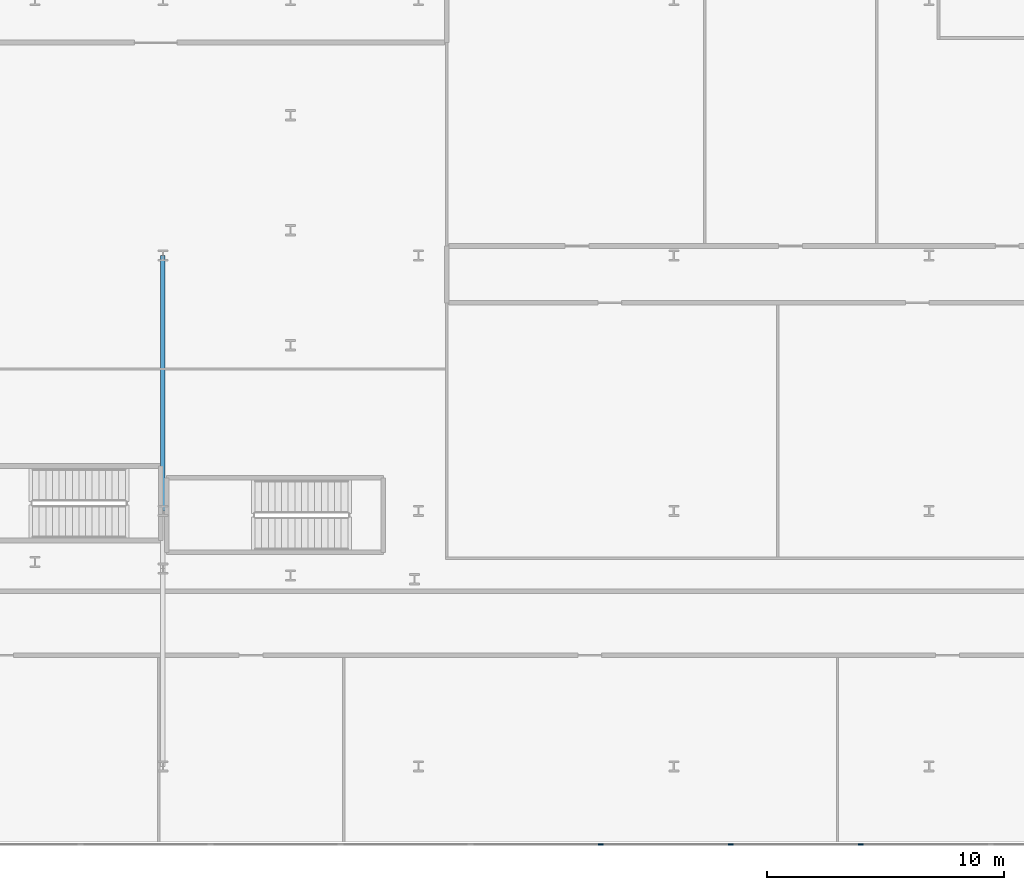
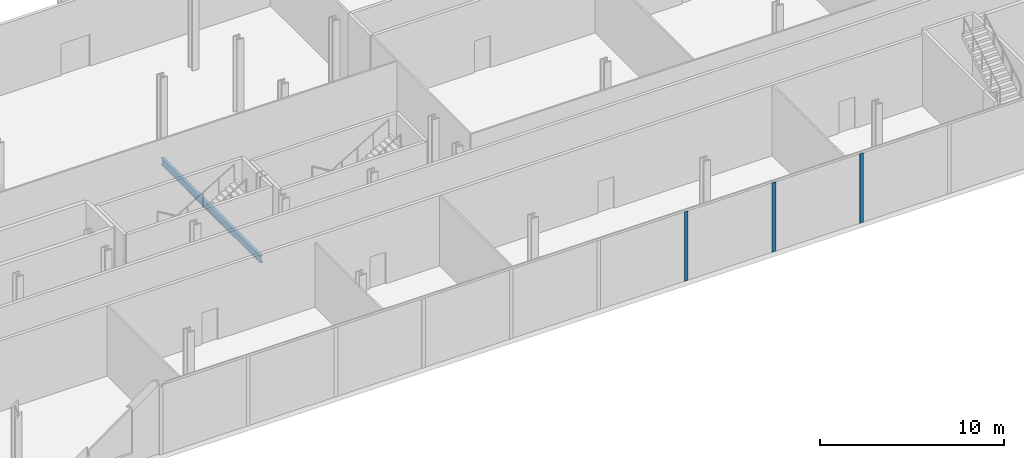
# One storey, part 11 of 47: 3 members, 1 beam, 1 element without a shape of its own.
"""IFC4 building model written with IfcOpenShell, lengths in metres."""

from ifc_helpers import new_model, si_unit, direction, frame, origin, origin_2d, place, context, subcontext, project, spatial, rectangle, i_section, extrude, material, layer, layer_set, material_profile, profile_set, type_object, element, aggregate, save


model = new_model("IFC4")

# Units and contexts
model_context = context("Model", 3, precision=1e-05, world=origin(), true_north=direction((0.0, 1.0)))
body_context = subcontext(model_context, "Body", "Model", "MODEL_VIEW")
ifc_project = project(units=[si_unit("LENGTHUNIT", "METRE"), si_unit("AREAUNIT", "SQUARE_METRE"), si_unit("VOLUMEUNIT", "CUBIC_METRE"), si_unit("PLANEANGLEUNIT", "RADIAN"), si_unit("MASSUNIT", "GRAM", prefix="KILO")], contexts=[model_context])

# Site, building, storey
site_placement = place(None, origin())
site = spatial("IfcSite", under=ifc_project, at=site_placement, CompositionType="ELEMENT")
building_placement = place(site_placement, origin())
building = spatial("IfcBuilding", under=site, at=building_placement, Name="Kheshtan School and Residences Tower", CompositionType="ELEMENT")
storey_placement = place(building_placement, frame((0.0, 0.0, 7.5)))
storey = spatial("IfcBuildingStorey", under=building, at=storey_placement, Name="L01", CompositionType="ELEMENT", Elevation=7.5)

# Beam
ifc_material_1 = material(Name="Steel ASTM A992 Grade 50", Category="steel")
ifc_material_profile_1 = material_profile(ifc_material_1, i_section(OverallWidth=0.194091796875, OverallDepth=0.468994140625, WebThickness=0.0126953125, FlangeThickness=0.0205078125, FilletRadius=0.01416015625, at=origin_2d()), Name="W460x106")
ifc_profile_set_1 = profile_set([ifc_material_profile_1], Name="Steel ASTM A992 Grade 50")
beam_type = type_object("IfcBeamType", Name="Beam PB2 W460x106 ASTM A992 Grade 50", PredefinedType="BEAM", material=ifc_profile_set_1)
beam_placement = place(storey_placement, frame((80.0, 24.0, -0.654541015625), z_axis=(0.0, 1.0, 0.0), x_axis=(-1.0, 0.0, 0.0)))
element("IfcBeam", 1, at=beam_placement, inside=storey, type_object=beam_type, Name="Podium floor beam PB2", PredefinedType="BEAM", context=body_context, shape_type="SweptSolid", body=[
    extrude(i_section(OverallWidth=0.194091796875, OverallDepth=0.468994140625, WebThickness=0.0126953125, FlangeThickness=0.0205078125, FilletRadius=0.01416015625, at=origin_2d()), origin(), (0.0, 0.0, 1.0), 10.800048828125),
])

# Curtain wall, members
ifc_material_2 = material(Name="Clear low-e glass in thermally broken aluminium frame", Category="aluminium")
ifc_layer = layer(ifc_material_2, 0.22509765625)
ifc_layer_set = layer_set([ifc_layer], Name="Curtain wall CW-P")
curtain_wall_type = type_object("IfcCurtainWallType", Name="Curtain wall CW-P", PredefinedType="NOTDEFINED", material=ifc_layer_set)
curtain_wall_placement = place(storey_placement, origin())
curtain_wall = element("IfcCurtainWall", 2, at=curtain_wall_placement, inside=storey, type_object=curtain_wall_type, Name="Curtain wall CWP12", PredefinedType="NOTDEFINED")
ifc_material_3 = material(Name="Thermally broken aluminium, dark bronze anodised", Category="aluminium")
ifc_material_profile_2 = material_profile(ifc_material_3, rectangle(XDim=0.06005859375, YDim=0.22509765625, at=origin_2d()), Name="CW-P mullion 60x225")
ifc_profile_set_2 = profile_set([ifc_material_profile_2], Name="Thermally broken aluminium, dark bronze anodised")
member_type = type_object("IfcMemberType", Name="CW-P mullion 60x225", PredefinedType="MULLION", material=ifc_profile_set_2)
member_1_placement = place(storey_placement, frame((109.50537109375, 9.89990234375, 0.0), z_axis=(0.0, 0.0, 1.0), x_axis=(0.0, -1.0, 0.0)))
member_1 = element("IfcMember", 3, at=member_1_placement, type_object=member_type, Name="CWP12 mullion 4", PredefinedType="MULLION", context=body_context, shape_type="SweptSolid", body=[
    extrude(rectangle(XDim=0.06005859375, YDim=0.22509765625, at=origin_2d()), origin(), (0.0, 0.0, 1.0), 4.610107421875),
])
member_2_placement = place(storey_placement, frame((104.00732421875, 9.89990234375, 0.0), z_axis=(0.0, 0.0, 1.0), x_axis=(0.0, -1.0, 0.0)))
member_2 = element("IfcMember", 4, at=member_2_placement, type_object=member_type, Name="CWP12 mullion 5", PredefinedType="MULLION", context=body_context, shape_type="SweptSolid", body=[
    extrude(rectangle(XDim=0.06005859375, YDim=0.22509765625, at=origin_2d()), origin(), (0.0, 0.0, 1.0), 4.610107421875),
])
member_3_placement = place(storey_placement, frame((98.509033203125, 9.89990234375, 0.0), z_axis=(0.0, 0.0, 1.0), x_axis=(0.0, -1.0, 0.0)))
member_3 = element("IfcMember", 5, at=member_3_placement, type_object=member_type, Name="CWP12 mullion 6", PredefinedType="MULLION", context=body_context, shape_type="SweptSolid", body=[
    extrude(rectangle(XDim=0.06005859375, YDim=0.22509765625, at=origin_2d()), origin(), (0.0, 0.0, 1.0), 4.610107421875),
])
aggregate(curtain_wall, [member_1, member_2, member_3])

save(model, "model.ifc")
